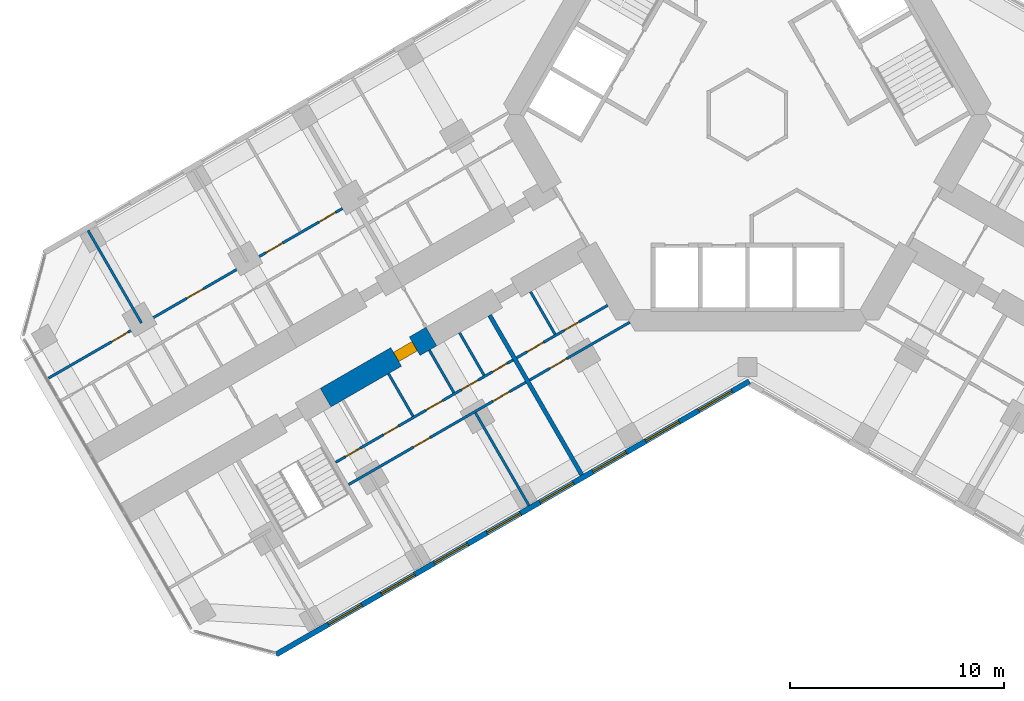
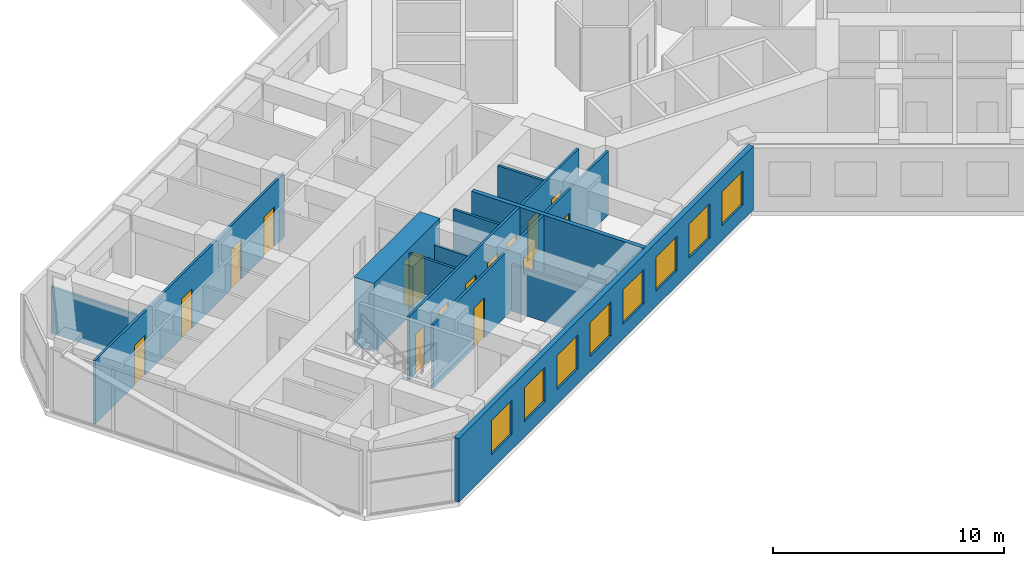
# One storey, part 11 of 21: 15 doors, 14 walls, 8 windows, 23 openings.
"""IFC4 building model written with IfcOpenShell, lengths in metres."""

from ifc_helpers import new_model, si_unit, direction, frame, frame_2d, origin, place, context, subcontext, project, spatial, rectangle, extrude, material, layer, layer_set, type_object, element, fill, save


model = new_model("IFC4")

# Units and contexts
model_context = context("Model", 3, precision=1e-05, world=origin(), true_north=direction((0.0, 1.0)))
body_context = subcontext(model_context, "Body", "Model", "MODEL_VIEW")
ifc_project = project(units=[si_unit("LENGTHUNIT", "METRE"), si_unit("AREAUNIT", "SQUARE_METRE"), si_unit("VOLUMEUNIT", "CUBIC_METRE"), si_unit("PLANEANGLEUNIT", "RADIAN"), si_unit("MASSUNIT", "GRAM", prefix="KILO")], contexts=[model_context])

# Site, building, storey
site_placement = place(None, origin())
site = spatial("IfcSite", under=ifc_project, at=site_placement, CompositionType="ELEMENT")
building_placement = place(site_placement, origin())
building = spatial("IfcBuilding", under=site, at=building_placement, Name="Kosmar Iwan School Tower", CompositionType="ELEMENT")
storey_placement = place(building_placement, frame((0.0, 0.0, 80.800048828125)))
storey = spatial("IfcBuildingStorey", under=building, at=storey_placement, Name="L19", CompositionType="ELEMENT", Elevation=80.800048828125)

# Wall, opening, door
ifc_material_1 = material(Name="Concrete C50/60", Category="concrete")
ifc_layer_1 = layer(ifc_material_1, 1.0)
ifc_layer_set_1 = layer_set([ifc_layer_1], Name="Corridor buttress wall 1000")
wall_type_1 = type_object("IfcWallType", Name="Corridor buttress wall 1000", PredefinedType="SHEAR", material=ifc_layer_set_1)
wall_1_placement = place(storey_placement, frame((-14.7451171875, -10.360595703125, 0.0), z_axis=(0.0, 0.0, 1.0), x_axis=(-0.866015111908, -0.50001782563, 0.0)))
wall_1 = element("IfcWall", 1, at=wall_1_placement, inside=storey, type_object=wall_type_1, Name="Corridor wall BL bay 2", PredefinedType="SHEAR", context=body_context, shape_type="SweptSolid", body=[
    extrude(rectangle(XDim=5.699951171875, YDim=1.0, at=frame_2d((2.85009765625, 0.0))), origin(), (0.0, 0.0, 1.0), 3.599853515625),
])
opening_1_placement = place(wall_1_placement, frame((0.89990234375, 0.0, 0.0)))
opening_1 = element("IfcOpeningElement", 2, at=opening_1_placement, cuts=wall_1, Name="Opening D1", PredefinedType="OPENING", context=body_context, shape_type="SweptSolid", body=[
    extrude(rectangle(XDim=1.0, YDim=2.10009765625, at=frame_2d((0.5, 1.050048828125))), frame((0.0, 0.511962890625, 0.0), z_axis=(0.0, -1.0, 0.0), x_axis=(1.0, 0.0, 0.0)), (0.0, 0.0, 1.0), 1.02392578125),
])
ifc_material_2 = material(Name="Timber fire door in steel frame", Category="steel")
door_type_1 = type_object("IfcDoorType", Name="Flat entrance door 1000x2100", OperationType="SINGLE_SWING_LEFT", PredefinedType="DOOR", material=ifc_material_2)
door_1_placement = place(opening_1_placement, origin())
door_1 = element("IfcDoor", 3, at=door_1_placement, inside=storey, type_object=door_type_1, Name="Flat L19-BL2 entrance door", OperationType="SINGLE_SWING_LEFT", OverallHeight=2.10009765625, OverallWidth=1.0, PredefinedType="DOOR", context=body_context, shape_type="SweptSolid", body=[
    extrude(rectangle(XDim=1.0, YDim=2.10009765625, at=frame_2d((0.5, 1.050048828125))), frame((0.0, 0.25, 0.0), z_axis=(0.0, -1.0, 0.0), x_axis=(1.0, 0.0, 0.0)), (0.0, 0.0, 1.0), 0.5),
])
fill(opening_1, door_1)

# Wall, openings, doors
ifc_material_3 = material(Name="Gypsum board on steel studs", Category="steel")
ifc_layer_2 = layer(ifc_material_3, 0.1201171875)
ifc_layer_set_2 = layer_set([ifc_layer_2], Name="Dwelling partition 120")
wall_type_2 = type_object("IfcWallType", Name="Dwelling partition 120", PredefinedType="PARTITIONING", material=ifc_layer_set_2)
wall_2_placement = place(storey_placement, frame((-6.521728515625, -8.90380859375, 0.0), z_axis=(0.0, 0.0, 1.0), x_axis=(-0.866036242063, -0.49998122708, 0.0)))
wall_2 = element("IfcWall", 4, at=wall_2_placement, inside=storey, type_object=wall_type_2, Name="Partition L19-BL1-W1", PredefinedType="PARTITIONING", context=body_context, shape_type="SweptSolid", body=[
    extrude(rectangle(XDim=4.900146484375, YDim=0.1201171875, at=frame_2d((2.4501953125, 0.0))), origin(), (0.0, 0.0, 1.0), 3.349853515625),
])
opening_2_placement = place(wall_2_placement, frame((1.550048828125, 0.0, 0.0)))
opening_2 = element("IfcOpeningElement", 5, at=opening_2_placement, cuts=wall_2, Name="Opening D3", PredefinedType="OPENING", context=body_context, shape_type="SweptSolid", body=[
    extrude(rectangle(XDim=0.800048828125, YDim=2.10009765625, at=frame_2d((0.39990234375, 1.050048828125))), frame((0.0, 0.072021484375, 0.0), z_axis=(0.0, -1.0, 0.0), x_axis=(1.0, 0.0, 0.0)), (0.0, 0.0, 1.0), 0.14404296875),
])
opening_3_placement = place(wall_2_placement, frame((3.449951171875, 0.0, 0.0)))
opening_3 = element("IfcOpeningElement", 6, at=opening_3_placement, cuts=wall_2, Name="Opening D2", PredefinedType="OPENING", context=body_context, shape_type="SweptSolid", body=[
    extrude(rectangle(XDim=0.89990234375, YDim=2.10009765625, at=frame_2d((0.449951171875, 1.050048828125))), frame((0.0, 0.072021484375, 0.0), z_axis=(0.0, -1.0, 0.0), x_axis=(1.0, 0.0, 0.0)), (0.0, 0.0, 1.0), 0.14404296875),
])
ifc_material_4 = material(Name="Timber door in timber frame", Category="wood")
door_type_2 = type_object("IfcDoorType", Name="Internal door 900x2100", OperationType="SINGLE_SWING_LEFT", PredefinedType="DOOR", material=ifc_material_4)
door_2_placement = place(opening_3_placement, origin())
door_2 = element("IfcDoor", 7, at=door_2_placement, inside=storey, type_object=door_type_2, Name="Entrance hall door L19-BL1-S2", OperationType="SINGLE_SWING_RIGHT", OverallHeight=2.10009765625, OverallWidth=0.89990234375, PredefinedType="DOOR", context=body_context, shape_type="SweptSolid", body=[
    extrude(rectangle(XDim=0.89990234375, YDim=2.10009765625, at=frame_2d((0.449951171875, 1.050048828125))), frame((0.0, 0.02490234375, 0.0), z_axis=(0.0, -1.0, 0.0), x_axis=(1.0, 0.0, 0.0)), (0.0, 0.0, 1.0), 0.050048828125),
])
fill(opening_3, door_2)
ifc_material_5 = material(Name="Timber door in timber frame", Category="wood")
door_type_3 = type_object("IfcDoorType", Name="Sanitary room door 800x2100", OperationType="SINGLE_SWING_LEFT", PredefinedType="DOOR", material=ifc_material_5)
door_3_placement = place(opening_2_placement, origin())
door_3 = element("IfcDoor", 8, at=door_3_placement, inside=storey, type_object=door_type_3, Name="Bathroom door L19-BL1-S1", OperationType="SINGLE_SWING_LEFT", OverallHeight=2.10009765625, OverallWidth=0.800048828125, PredefinedType="DOOR", context=body_context, shape_type="SweptSolid", body=[
    extrude(rectangle(XDim=0.800048828125, YDim=2.10009765625, at=frame_2d((0.39990234375, 1.050048828125))), frame((0.0, 0.02490234375, 0.0), z_axis=(0.0, -1.0, 0.0), x_axis=(1.0, 0.0, 0.0)), (0.0, 0.0, 1.0), 0.050048828125),
])
fill(opening_2, door_3)

# Wall, opening, door
wall_3_placement = place(storey_placement, frame((-5.48876953125, -9.693115234375, 0.0), z_axis=(0.0, 0.0, 1.0), x_axis=(-0.866028230842, -0.499995103361, 0.0)))
wall_3 = element("IfcWall", 9, at=wall_3_placement, inside=storey, type_object=wall_type_2, Name="Partition L19-BL1-W2", PredefinedType="PARTITIONING", context=body_context, shape_type="SweptSolid", body=[
    extrude(rectangle(XDim=5.39990234375, YDim=0.1201171875, at=frame_2d((2.699951171875, 0.0))), origin(), (0.0, 0.0, 1.0), 3.349853515625),
])
opening_4_placement = place(wall_3_placement, frame((3.39990234375, 0.0, 0.0)))
opening_4 = element("IfcOpeningElement", 10, at=opening_4_placement, cuts=wall_3, Name="Opening D2", PredefinedType="OPENING", context=body_context, shape_type="SweptSolid", body=[
    extrude(rectangle(XDim=0.89990234375, YDim=2.10009765625, at=frame_2d((0.449951171875, 1.050048828125))), frame((0.0, 0.072021484375, 0.0), z_axis=(0.0, -1.0, 0.0), x_axis=(1.0, 0.0, 0.0)), (0.0, 0.0, 1.0), 0.14404296875),
])
door_4_placement = place(opening_4_placement, origin())
door_4 = element("IfcDoor", 11, at=door_4_placement, inside=storey, type_object=door_type_2, Name="Studio living room and kitchen door L19-BL1-F1", OperationType="SINGLE_SWING_RIGHT", OverallHeight=2.10009765625, OverallWidth=0.89990234375, PredefinedType="DOOR", context=body_context, shape_type="SweptSolid", body=[
    extrude(rectangle(XDim=0.89990234375, YDim=2.10009765625, at=frame_2d((0.449951171875, 1.050048828125))), frame((0.0, 0.02490234375, 0.0), z_axis=(0.0, -1.0, 0.0), x_axis=(1.0, 0.0, 0.0)), (0.0, 0.0, 1.0), 0.050048828125),
])
fill(opening_4, door_4)

# Wall
wall_4_placement = place(storey_placement, frame((-10.121826171875, -8.2685546875, 0.0), z_axis=(0.0, 0.0, 1.0), x_axis=(0.499968531483, -0.866043571379, 0.0)))
element("IfcWall", 12, at=wall_4_placement, inside=storey, type_object=wall_type_2, Name="Partition L19-BL1-Y1", PredefinedType="PARTITIONING", context=body_context, shape_type="SweptSolid", body=[
    extrude(rectangle(XDim=2.290283203125, YDim=0.1201171875, at=frame_2d((1.14501953125, 0.0))), origin(), (0.0, 0.0, 1.0), 3.349853515625),
])

# Wall, openings, doors
wall_5_placement = place(storey_placement, frame((-10.9384765625, -11.453857421875, 0.0), z_axis=(0.0, 0.0, 1.0), x_axis=(-0.866035311659, -0.499982838664, 0.0)))
wall_5 = element("IfcWall", 13, at=wall_5_placement, inside=storey, type_object=wall_type_2, Name="Partition L19-BL2-W1", PredefinedType="PARTITIONING", context=body_context, shape_type="SweptSolid", body=[
    extrude(rectangle(XDim=9.550048828125, YDim=0.1201171875, at=frame_2d((4.77490234375, 0.0))), origin(), (0.0, 0.0, 1.0), 3.349853515625),
])
opening_5_placement = place(wall_5_placement, frame((0.3125, 0.0, 0.0)))
opening_5 = element("IfcOpeningElement", 14, at=opening_5_placement, cuts=wall_5, Name="Opening D3", PredefinedType="OPENING", context=body_context, shape_type="SweptSolid", body=[
    extrude(rectangle(XDim=0.800048828125, YDim=2.10009765625, at=frame_2d((0.39990234375, 1.050048828125))), frame((0.0, 0.072021484375, 0.0), z_axis=(0.0, -1.0, 0.0), x_axis=(1.0, 0.0, 0.0)), (0.0, 0.0, 1.0), 0.14404296875),
])
opening_6_placement = place(wall_5_placement, frame((1.887451171875, 0.0, 0.0)))
opening_6 = element("IfcOpeningElement", 15, at=opening_6_placement, cuts=wall_5, Name="Opening D2", PredefinedType="OPENING", context=body_context, shape_type="SweptSolid", body=[
    extrude(rectangle(XDim=0.89990234375, YDim=2.10009765625, at=frame_2d((0.449951171875, 1.050048828125))), frame((0.0, 0.072021484375, 0.0), z_axis=(0.0, -1.0, 0.0), x_axis=(1.0, 0.0, 0.0)), (0.0, 0.0, 1.0), 0.14404296875),
])
opening_7_placement = place(wall_5_placement, frame((3.800048828125, 0.0, 0.0)))
opening_7 = element("IfcOpeningElement", 16, at=opening_7_placement, cuts=wall_5, Name="Opening D2", PredefinedType="OPENING", context=body_context, shape_type="SweptSolid", body=[
    extrude(rectangle(XDim=0.89990234375, YDim=2.10009765625, at=frame_2d((0.449951171875, 1.050048828125))), frame((0.0, 0.072021484375, 0.0), z_axis=(0.0, -1.0, 0.0), x_axis=(1.0, 0.0, 0.0)), (0.0, 0.0, 1.0), 0.14404296875),
])
opening_8_placement = place(wall_5_placement, frame((6.179931640625, 0.0, 0.0)))
opening_8 = element("IfcOpeningElement", 17, at=opening_8_placement, cuts=wall_5, Name="Opening D3", PredefinedType="OPENING", context=body_context, shape_type="SweptSolid", body=[
    extrude(rectangle(XDim=0.800048828125, YDim=2.10009765625, at=frame_2d((0.39990234375, 1.050048828125))), frame((0.0, 0.072021484375, 0.0), z_axis=(0.0, -1.0, 0.0), x_axis=(1.0, 0.0, 0.0)), (0.0, 0.0, 1.0), 0.14404296875),
])
opening_9_placement = place(wall_5_placement, frame((8.22998046875, 0.0, 0.0)))
opening_9 = element("IfcOpeningElement", 18, at=opening_9_placement, cuts=wall_5, Name="Opening D3", PredefinedType="OPENING", context=body_context, shape_type="SweptSolid", body=[
    extrude(rectangle(XDim=0.800048828125, YDim=2.10009765625, at=frame_2d((0.39990234375, 1.050048828125))), frame((0.0, 0.072021484375, 0.0), z_axis=(0.0, -1.0, 0.0), x_axis=(1.0, 0.0, 0.0)), (0.0, 0.0, 1.0), 0.14404296875),
])
door_5_placement = place(opening_6_placement, frame((0.89990234375, 0.0, 0.0), z_axis=(0.0, 0.0, 1.0), x_axis=(-1.0, 0.0, 0.0)))
door_5 = element("IfcDoor", 19, at=door_5_placement, inside=storey, type_object=door_type_2, Name="Pantry door L19-BL2-S2", OperationType="SINGLE_SWING_RIGHT", OverallHeight=2.10009765625, OverallWidth=0.89990234375, PredefinedType="DOOR", context=body_context, shape_type="SweptSolid", body=[
    extrude(rectangle(XDim=0.89990234375, YDim=2.10009765625, at=frame_2d((0.449951171875, 1.050048828125))), frame((0.0, 0.02490234375, 0.0), z_axis=(0.0, -1.0, 0.0), x_axis=(1.0, 0.0, 0.0)), (0.0, 0.0, 1.0), 0.050048828125),
])
fill(opening_6, door_5)
door_6_placement = place(opening_7_placement, origin())
door_6 = element("IfcDoor", 20, at=door_6_placement, inside=storey, type_object=door_type_2, Name="Entrance hall door L19-BL2-S3", OperationType="SINGLE_SWING_LEFT", OverallHeight=2.10009765625, OverallWidth=0.89990234375, PredefinedType="DOOR", context=body_context, shape_type="SweptSolid", body=[
    extrude(rectangle(XDim=0.89990234375, YDim=2.10009765625, at=frame_2d((0.449951171875, 1.050048828125))), frame((0.0, 0.02490234375, 0.0), z_axis=(0.0, -1.0, 0.0), x_axis=(1.0, 0.0, 0.0)), (0.0, 0.0, 1.0), 0.050048828125),
])
fill(opening_7, door_6)
door_7_placement = place(opening_5_placement, origin())
door_7 = element("IfcDoor", 21, at=door_7_placement, inside=storey, type_object=door_type_3, Name="Store door L19-BL2-S1", OperationType="SINGLE_SWING_LEFT", OverallHeight=2.10009765625, OverallWidth=0.800048828125, PredefinedType="DOOR", context=body_context, shape_type="SweptSolid", body=[
    extrude(rectangle(XDim=0.800048828125, YDim=2.10009765625, at=frame_2d((0.39990234375, 1.050048828125))), frame((0.0, 0.02490234375, 0.0), z_axis=(0.0, -1.0, 0.0), x_axis=(1.0, 0.0, 0.0)), (0.0, 0.0, 1.0), 0.050048828125),
])
fill(opening_5, door_7)
door_8_placement = place(opening_8_placement, origin())
door_8 = element("IfcDoor", 22, at=door_8_placement, inside=storey, type_object=door_type_3, Name="Bathroom door L19-BL2-S4", OperationType="SINGLE_SWING_RIGHT", OverallHeight=2.10009765625, OverallWidth=0.800048828125, PredefinedType="DOOR", context=body_context, shape_type="SweptSolid", body=[
    extrude(rectangle(XDim=0.800048828125, YDim=2.10009765625, at=frame_2d((0.39990234375, 1.050048828125))), frame((0.0, 0.02490234375, 0.0), z_axis=(0.0, -1.0, 0.0), x_axis=(1.0, 0.0, 0.0)), (0.0, 0.0, 1.0), 0.050048828125),
])
fill(opening_8, door_8)
door_9_placement = place(opening_9_placement, origin())
door_9 = element("IfcDoor", 23, at=door_9_placement, inside=storey, type_object=door_type_3, Name="WC door L19-BL2-S5", OperationType="SINGLE_SWING_RIGHT", OverallHeight=2.10009765625, OverallWidth=0.800048828125, PredefinedType="DOOR", context=body_context, shape_type="SweptSolid", body=[
    extrude(rectangle(XDim=0.800048828125, YDim=2.10009765625, at=frame_2d((0.39990234375, 1.050048828125))), frame((0.0, 0.02490234375, 0.0), z_axis=(0.0, -1.0, 0.0), x_axis=(1.0, 0.0, 0.0)), (0.0, 0.0, 1.0), 0.050048828125),
])
fill(opening_9, door_9)

wall_6_placement = place(storey_placement, frame((-10.338623046875, -12.492919921875, 0.0), z_axis=(0.0, 0.0, 1.0), x_axis=(-0.866017851049, -0.500013081493, 0.0)))
wall_6 = element("IfcWall", 24, at=wall_6_placement, inside=storey, type_object=wall_type_2, Name="Partition L19-BL2-W2", PredefinedType="PARTITIONING", context=body_context, shape_type="SweptSolid", body=[
    extrude(rectangle(XDim=9.550048828125, YDim=0.1201171875, at=frame_2d((4.77490234375, 0.0))), origin(), (0.0, 0.0, 1.0), 3.349853515625),
])
opening_10_placement = place(wall_6_placement, frame((0.875, 0.0, 0.0)))
opening_10 = element("IfcOpeningElement", 25, at=opening_10_placement, cuts=wall_6, Name="Opening D2", PredefinedType="OPENING", context=body_context, shape_type="SweptSolid", body=[
    extrude(rectangle(XDim=0.89990234375, YDim=2.10009765625, at=frame_2d((0.449951171875, 1.050048828125))), frame((0.0, 0.072021484375, 0.0), z_axis=(0.0, -1.0, 0.0), x_axis=(1.0, 0.0, 0.0)), (0.0, 0.0, 1.0), 0.14404296875),
])
opening_11_placement = place(wall_6_placement, frame((5.14990234375, 0.0, 0.0)))
opening_11 = element("IfcOpeningElement", 26, at=opening_11_placement, cuts=wall_6, Name="Opening D2", PredefinedType="OPENING", context=body_context, shape_type="SweptSolid", body=[
    extrude(rectangle(XDim=0.89990234375, YDim=2.10009765625, at=frame_2d((0.449951171875, 1.050048828125))), frame((0.0, 0.072021484375, 0.0), z_axis=(0.0, -1.0, 0.0), x_axis=(1.0, 0.0, 0.0)), (0.0, 0.0, 1.0), 0.14404296875),
])
door_10_placement = place(opening_10_placement, origin())
door_10 = element("IfcDoor", 27, at=door_10_placement, inside=storey, type_object=door_type_2, Name="Bedroom 1 door L19-BL2-F1", OperationType="SINGLE_SWING_RIGHT", OverallHeight=2.10009765625, OverallWidth=0.89990234375, PredefinedType="DOOR", context=body_context, shape_type="SweptSolid", body=[
    extrude(rectangle(XDim=0.89990234375, YDim=2.10009765625, at=frame_2d((0.449951171875, 1.050048828125))), frame((0.0, 0.02490234375, 0.0), z_axis=(0.0, -1.0, 0.0), x_axis=(1.0, 0.0, 0.0)), (0.0, 0.0, 1.0), 0.050048828125),
])
fill(opening_10, door_10)
door_11_placement = place(opening_11_placement, origin())
door_11 = element("IfcDoor", 28, at=door_11_placement, inside=storey, type_object=door_type_2, Name="Living room and kitchen door L19-BL2-F2", OperationType="SINGLE_SWING_LEFT", OverallHeight=2.10009765625, OverallWidth=0.89990234375, PredefinedType="DOOR", context=body_context, shape_type="SweptSolid", body=[
    extrude(rectangle(XDim=0.89990234375, YDim=2.10009765625, at=frame_2d((0.449951171875, 1.050048828125))), frame((0.0, 0.02490234375, 0.0), z_axis=(0.0, -1.0, 0.0), x_axis=(1.0, 0.0, 0.0)), (0.0, 0.0, 1.0), 0.050048828125),
])
fill(opening_11, door_11)

# Walls
wall_7_placement = place(storey_placement, frame((-12.690185546875, -13.919921875, 0.0), z_axis=(0.0, 0.0, 1.0), x_axis=(0.500011847778, -0.866018563358, 0.0)))
element("IfcWall", 29, at=wall_7_placement, inside=storey, type_object=wall_type_2, Name="Partition L19-BL2-X1", PredefinedType="PARTITIONING", context=body_context, shape_type="SweptSolid", body=[
    extrude(rectangle(XDim=4.990234375, YDim=0.1201171875, at=frame_2d((2.4951171875, 0.0))), origin(), (0.0, 0.0, 1.0), 2.449951171875),
])
wall_8_placement = place(storey_placement, frame((-13.434326171875, -10.18115234375, 0.0), z_axis=(0.0, 0.0, 1.0), x_axis=(0.500014693593, -0.866016920268, 0.0)))
element("IfcWall", 30, at=wall_8_placement, inside=storey, type_object=wall_type_2, Name="Partition L19-BL2-Y1", PredefinedType="PARTITIONING", context=body_context, shape_type="SweptSolid", body=[
    extrude(rectangle(XDim=2.2900390625, YDim=0.1201171875, at=frame_2d((1.14501953125, 0.0))), origin(), (0.0, 0.0, 1.0), 3.349853515625),
])
wall_9_placement = place(storey_placement, frame((-14.841552734375, -10.99365234375, 0.0), z_axis=(0.0, 0.0, 1.0), x_axis=(0.500014693593, -0.866016920268, 0.0)))
element("IfcWall", 31, at=wall_9_placement, inside=storey, type_object=wall_type_2, Name="Partition L19-BL2-Y2", PredefinedType="PARTITIONING", context=body_context, shape_type="SweptSolid", body=[
    extrude(rectangle(XDim=2.2900390625, YDim=0.1201171875, at=frame_2d((1.14501953125, 0.0))), origin(), (0.0, 0.0, 1.0), 2.449951171875),
])
wall_10_placement = place(storey_placement, frame((-16.746826171875, -12.09375, 0.0), z_axis=(0.0, 0.0, 1.0), x_axis=(0.500014693593, -0.866016920268, 0.0)))
element("IfcWall", 32, at=wall_10_placement, inside=storey, type_object=wall_type_2, Name="Partition L19-BL2-Y3", PredefinedType="PARTITIONING", context=body_context, shape_type="SweptSolid", body=[
    extrude(rectangle(XDim=2.2900390625, YDim=0.1201171875, at=frame_2d((1.14501953125, 0.0))), origin(), (0.0, 0.0, 1.0), 3.349853515625),
])

# Wall, openings, doors
wall_11_placement = place(storey_placement, frame((-18.456787109375, -4.1318359375, 0.0), z_axis=(0.0, 0.0, 1.0), x_axis=(-0.866023907196, -0.500002592159, 0.0)))
wall_11 = element("IfcWall", 33, at=wall_11_placement, inside=storey, type_object=wall_type_2, Name="Partition L19-BR2-W2", PredefinedType="PARTITIONING", context=body_context, shape_type="SweptSolid", body=[
    extrude(rectangle(XDim=16.34521484375, YDim=0.1201171875, at=frame_2d((8.172607421875, 0.0))), origin(), (0.0, 0.0, 1.0), 3.349853515625),
])
opening_12_placement = place(wall_11_placement, frame((0.875, 0.0, 0.0)))
opening_12 = element("IfcOpeningElement", 34, at=opening_12_placement, cuts=wall_11, Name="Opening D2", PredefinedType="OPENING", context=body_context, shape_type="SweptSolid", body=[
    extrude(rectangle(XDim=0.89990234375, YDim=2.10009765625, at=frame_2d((0.449951171875, 1.050048828125))), frame((0.0, 0.072021484375, 0.0), z_axis=(0.0, -1.0, 0.0), x_axis=(1.0, 0.0, 0.0)), (0.0, 0.0, 1.0), 0.14404296875),
])
opening_13_placement = place(wall_11_placement, frame((3.72509765625, 0.0, 0.0)))
opening_13 = element("IfcOpeningElement", 35, at=opening_13_placement, cuts=wall_11, Name="Opening D2", PredefinedType="OPENING", context=body_context, shape_type="SweptSolid", body=[
    extrude(rectangle(XDim=0.89990234375, YDim=2.10009765625, at=frame_2d((0.449951171875, 1.050048828125))), frame((0.0, 0.072021484375, 0.0), z_axis=(0.0, -1.0, 0.0), x_axis=(1.0, 0.0, 0.0)), (0.0, 0.0, 1.0), 0.14404296875),
])
opening_14_placement = place(wall_11_placement, frame((8.0, 0.0, 0.0)))
opening_14 = element("IfcOpeningElement", 36, at=opening_14_placement, cuts=wall_11, Name="Opening D2", PredefinedType="OPENING", context=body_context, shape_type="SweptSolid", body=[
    extrude(rectangle(XDim=0.89990234375, YDim=2.10009765625, at=frame_2d((0.449951171875, 1.050048828125))), frame((0.0, 0.072021484375, 0.0), z_axis=(0.0, -1.0, 0.0), x_axis=(1.0, 0.0, 0.0)), (0.0, 0.0, 1.0), 0.14404296875),
])
opening_15_placement = place(wall_11_placement, frame((12.050048828125, 0.0, 0.0)))
opening_15 = element("IfcOpeningElement", 37, at=opening_15_placement, cuts=wall_11, Name="Opening D2", PredefinedType="OPENING", context=body_context, shape_type="SweptSolid", body=[
    extrude(rectangle(XDim=0.89990234375, YDim=2.10009765625, at=frame_2d((0.449951171875, 1.050048828125))), frame((0.0, 0.072021484375, 0.0), z_axis=(0.0, -1.0, 0.0), x_axis=(1.0, 0.0, 0.0)), (0.0, 0.0, 1.0), 0.14404296875),
])
door_12_placement = place(opening_12_placement, origin())
door_12 = element("IfcDoor", 38, at=door_12_placement, inside=storey, type_object=door_type_2, Name="Bedroom 1 door L19-BR2-F1", OperationType="SINGLE_SWING_LEFT", OverallHeight=2.10009765625, OverallWidth=0.89990234375, PredefinedType="DOOR", context=body_context, shape_type="SweptSolid", body=[
    extrude(rectangle(XDim=0.89990234375, YDim=2.10009765625, at=frame_2d((0.449951171875, 1.050048828125))), frame((0.0, 0.02490234375, 0.0), z_axis=(0.0, -1.0, 0.0), x_axis=(1.0, 0.0, 0.0)), (0.0, 0.0, 1.0), 0.050048828125),
])
fill(opening_12, door_12)
door_13_placement = place(opening_13_placement, origin())
door_13 = element("IfcDoor", 39, at=door_13_placement, inside=storey, type_object=door_type_2, Name="Bedroom 2 door L19-BR2-F2", OperationType="SINGLE_SWING_LEFT", OverallHeight=2.10009765625, OverallWidth=0.89990234375, PredefinedType="DOOR", context=body_context, shape_type="SweptSolid", body=[
    extrude(rectangle(XDim=0.89990234375, YDim=2.10009765625, at=frame_2d((0.449951171875, 1.050048828125))), frame((0.0, 0.02490234375, 0.0), z_axis=(0.0, -1.0, 0.0), x_axis=(1.0, 0.0, 0.0)), (0.0, 0.0, 1.0), 0.050048828125),
])
fill(opening_13, door_13)
door_14_placement = place(opening_14_placement, origin())
door_14 = element("IfcDoor", 40, at=door_14_placement, inside=storey, type_object=door_type_2, Name="Living room and kitchen door L19-BR2-F3", OperationType="SINGLE_SWING_RIGHT", OverallHeight=2.10009765625, OverallWidth=0.89990234375, PredefinedType="DOOR", context=body_context, shape_type="SweptSolid", body=[
    extrude(rectangle(XDim=0.89990234375, YDim=2.10009765625, at=frame_2d((0.449951171875, 1.050048828125))), frame((0.0, 0.02490234375, 0.0), z_axis=(0.0, -1.0, 0.0), x_axis=(1.0, 0.0, 0.0)), (0.0, 0.0, 1.0), 0.050048828125),
])
fill(opening_14, door_14)
door_15_placement = place(opening_15_placement, origin())
door_15 = element("IfcDoor", 41, at=door_15_placement, inside=storey, type_object=door_type_2, Name="Bedroom 3 door L19-BR2-F4", OperationType="SINGLE_SWING_RIGHT", OverallHeight=2.10009765625, OverallWidth=0.89990234375, PredefinedType="DOOR", context=body_context, shape_type="SweptSolid", body=[
    extrude(rectangle(XDim=0.89990234375, YDim=2.10009765625, at=frame_2d((0.449951171875, 1.050048828125))), frame((0.0, 0.02490234375, 0.0), z_axis=(0.0, -1.0, 0.0), x_axis=(1.0, 0.0, 0.0)), (0.0, 0.0, 1.0), 0.050048828125),
])
fill(opening_15, door_15)

# Wall
wall_12_placement = place(storey_placement, frame((-28.27294921875, -9.72998046875, 0.0), z_axis=(0.0, 0.0, 1.0), x_axis=(-0.499975153383, 0.86603974851, 0.0)))
element("IfcWall", 42, at=wall_12_placement, inside=storey, type_object=wall_type_2, Name="Partition L19-BR2-X3", PredefinedType="PARTITIONING", context=body_context, shape_type="SweptSolid", body=[
    extrude(rectangle(XDim=4.989990234375, YDim=0.1201171875, at=frame_2d((2.4951171875, 0.0))), origin(), (0.0, 0.0, 1.0), 2.449951171875),
])

# Wall, openings, windows
ifc_material_6 = material(Name="Black aluminium rainscreen on insulated framing", Category="aluminium")
ifc_layer_3 = layer(ifc_material_6, 0.25)
ifc_layer_set_3 = layer_set([ifc_layer_3], Name="External wall rainscreen 250")
wall_type_3 = type_object("IfcWallType", Name="External wall rainscreen 250", PredefinedType="SOLIDWALL", material=ifc_layer_set_3)
wall_13_placement = place(storey_placement, frame((0.088134765625, -12.44873046875, 0.0), z_axis=(0.0, 0.0, 1.0), x_axis=(-0.866026390279, -0.499998291337, 0.0)))
wall_13 = element("IfcWall", 43, at=wall_13_placement, inside=storey, type_object=wall_type_3, Name="External wall BL L19", PredefinedType="SOLIDWALL", context=body_context, shape_type="SweptSolid", body=[
    extrude(rectangle(XDim=25.4873046875, YDim=0.25, at=frame_2d((12.74365234375, 0.0))), origin(), (0.0, 0.0, 1.0), 3.349853515625),
])
opening_16_placement = place(wall_13_placement, frame((0.927001953125, 0.0, 0.800048828125)))
opening_16 = element("IfcOpeningElement", 44, at=opening_16_placement, cuts=wall_13, Name="Opening W1", PredefinedType="OPENING", context=body_context, shape_type="SweptSolid", body=[
    extrude(rectangle(XDim=1.800048828125, YDim=1.800048828125, at=frame_2d((0.89990234375, 0.89990234375))), frame((0.0, 0.136962890625, 0.0), z_axis=(0.0, -1.0, 0.0), x_axis=(1.0, 0.0, 0.0)), (0.0, 0.0, 1.0), 0.27392578125),
])
opening_17_placement = place(wall_13_placement, frame((3.777099609375, 0.0, 0.800048828125)))
opening_17 = element("IfcOpeningElement", 45, at=opening_17_placement, cuts=wall_13, Name="Opening W1", PredefinedType="OPENING", context=body_context, shape_type="SweptSolid", body=[
    extrude(rectangle(XDim=1.800048828125, YDim=1.800048828125, at=frame_2d((0.89990234375, 0.89990234375))), frame((0.0, 0.136962890625, 0.0), z_axis=(0.0, -1.0, 0.0), x_axis=(1.0, 0.0, 0.0)), (0.0, 0.0, 1.0), 0.27392578125),
])
opening_18_placement = place(wall_13_placement, frame((6.626953125, 0.0, 0.800048828125)))
opening_18 = element("IfcOpeningElement", 46, at=opening_18_placement, cuts=wall_13, Name="Opening W1", PredefinedType="OPENING", context=body_context, shape_type="SweptSolid", body=[
    extrude(rectangle(XDim=1.800048828125, YDim=1.800048828125, at=frame_2d((0.89990234375, 0.89990234375))), frame((0.0, 0.136962890625, 0.0), z_axis=(0.0, -1.0, 0.0), x_axis=(1.0, 0.0, 0.0)), (0.0, 0.0, 1.0), 0.27392578125),
])
opening_19_placement = place(wall_13_placement, frame((9.47705078125, 0.0, 0.800048828125)))
opening_19 = element("IfcOpeningElement", 47, at=opening_19_placement, cuts=wall_13, Name="Opening W1", PredefinedType="OPENING", context=body_context, shape_type="SweptSolid", body=[
    extrude(rectangle(XDim=1.800048828125, YDim=1.800048828125, at=frame_2d((0.89990234375, 0.89990234375))), frame((0.0, 0.136962890625, 0.0), z_axis=(0.0, -1.0, 0.0), x_axis=(1.0, 0.0, 0.0)), (0.0, 0.0, 1.0), 0.27392578125),
])
opening_20_placement = place(wall_13_placement, frame((12.326904296875, 0.0, 0.800048828125)))
opening_20 = element("IfcOpeningElement", 48, at=opening_20_placement, cuts=wall_13, Name="Opening W1", PredefinedType="OPENING", context=body_context, shape_type="SweptSolid", body=[
    extrude(rectangle(XDim=1.800048828125, YDim=1.800048828125, at=frame_2d((0.89990234375, 0.89990234375))), frame((0.0, 0.136962890625, 0.0), z_axis=(0.0, -1.0, 0.0), x_axis=(1.0, 0.0, 0.0)), (0.0, 0.0, 1.0), 0.27392578125),
])
opening_21_placement = place(wall_13_placement, frame((15.177001953125, 0.0, 0.800048828125)))
opening_21 = element("IfcOpeningElement", 49, at=opening_21_placement, cuts=wall_13, Name="Opening W1", PredefinedType="OPENING", context=body_context, shape_type="SweptSolid", body=[
    extrude(rectangle(XDim=1.800048828125, YDim=1.800048828125, at=frame_2d((0.89990234375, 0.89990234375))), frame((0.0, 0.136962890625, 0.0), z_axis=(0.0, -1.0, 0.0), x_axis=(1.0, 0.0, 0.0)), (0.0, 0.0, 1.0), 0.27392578125),
])
opening_22_placement = place(wall_13_placement, frame((18.027099609375, 0.0, 0.800048828125)))
opening_22 = element("IfcOpeningElement", 50, at=opening_22_placement, cuts=wall_13, Name="Opening W1", PredefinedType="OPENING", context=body_context, shape_type="SweptSolid", body=[
    extrude(rectangle(XDim=1.800048828125, YDim=1.800048828125, at=frame_2d((0.89990234375, 0.89990234375))), frame((0.0, 0.136962890625, 0.0), z_axis=(0.0, -1.0, 0.0), x_axis=(1.0, 0.0, 0.0)), (0.0, 0.0, 1.0), 0.27392578125),
])
opening_23_placement = place(wall_13_placement, frame((20.876953125, 0.0, 0.800048828125)))
opening_23 = element("IfcOpeningElement", 51, at=opening_23_placement, cuts=wall_13, Name="Opening W1", PredefinedType="OPENING", context=body_context, shape_type="SweptSolid", body=[
    extrude(rectangle(XDim=1.800048828125, YDim=1.800048828125, at=frame_2d((0.89990234375, 0.89990234375))), frame((0.0, 0.136962890625, 0.0), z_axis=(0.0, -1.0, 0.0), x_axis=(1.0, 0.0, 0.0)), (0.0, 0.0, 1.0), 0.27392578125),
])
ifc_material_7 = material(Name="Black aluminium frame with dark triple glazing", Category="aluminium")
window_type = type_object("IfcWindowType", Name="Window 1800x1800", PartitioningType="SINGLE_PANEL", PredefinedType="WINDOW", material=ifc_material_7)
window_1_placement = place(opening_16_placement, origin())
window_1 = element("IfcWindow", 52, at=window_1_placement, inside=storey, type_object=window_type, Name="Window BL L19 -1", OverallHeight=1.800048828125, OverallWidth=1.800048828125, PartitioningType="SINGLE_PANEL", PredefinedType="WINDOW", context=body_context, shape_type="SweptSolid", body=[
    extrude(rectangle(XDim=1.800048828125, YDim=1.800048828125, at=frame_2d((0.89990234375, 0.89990234375))), frame((0.0, 0.030029296875, 0.0), z_axis=(0.0, -1.0, 0.0), x_axis=(1.0, 0.0, 0.0)), (0.0, 0.0, 1.0), 0.06005859375),
])
fill(opening_16, window_1)
window_2_placement = place(opening_17_placement, origin())
window_2 = element("IfcWindow", 53, at=window_2_placement, inside=storey, type_object=window_type, Name="Window BL L19 0", OverallHeight=1.800048828125, OverallWidth=1.800048828125, PartitioningType="SINGLE_PANEL", PredefinedType="WINDOW", context=body_context, shape_type="SweptSolid", body=[
    extrude(rectangle(XDim=1.800048828125, YDim=1.800048828125, at=frame_2d((0.89990234375, 0.89990234375))), frame((0.0, 0.030029296875, 0.0), z_axis=(0.0, -1.0, 0.0), x_axis=(1.0, 0.0, 0.0)), (0.0, 0.0, 1.0), 0.06005859375),
])
fill(opening_17, window_2)
window_3_placement = place(opening_18_placement, origin())
window_3 = element("IfcWindow", 54, at=window_3_placement, inside=storey, type_object=window_type, Name="Window BL L19 1", OverallHeight=1.800048828125, OverallWidth=1.800048828125, PartitioningType="SINGLE_PANEL", PredefinedType="WINDOW", context=body_context, shape_type="SweptSolid", body=[
    extrude(rectangle(XDim=1.800048828125, YDim=1.800048828125, at=frame_2d((0.89990234375, 0.89990234375))), frame((0.0, 0.030029296875, 0.0), z_axis=(0.0, -1.0, 0.0), x_axis=(1.0, 0.0, 0.0)), (0.0, 0.0, 1.0), 0.06005859375),
])
fill(opening_18, window_3)
window_4_placement = place(opening_19_placement, origin())
window_4 = element("IfcWindow", 55, at=window_4_placement, inside=storey, type_object=window_type, Name="Window BL L19 2", OverallHeight=1.800048828125, OverallWidth=1.800048828125, PartitioningType="SINGLE_PANEL", PredefinedType="WINDOW", context=body_context, shape_type="SweptSolid", body=[
    extrude(rectangle(XDim=1.800048828125, YDim=1.800048828125, at=frame_2d((0.89990234375, 0.89990234375))), frame((0.0, 0.030029296875, 0.0), z_axis=(0.0, -1.0, 0.0), x_axis=(1.0, 0.0, 0.0)), (0.0, 0.0, 1.0), 0.06005859375),
])
fill(opening_19, window_4)
window_5_placement = place(opening_20_placement, origin())
window_5 = element("IfcWindow", 56, at=window_5_placement, inside=storey, type_object=window_type, Name="Window BL L19 3", OverallHeight=1.800048828125, OverallWidth=1.800048828125, PartitioningType="SINGLE_PANEL", PredefinedType="WINDOW", context=body_context, shape_type="SweptSolid", body=[
    extrude(rectangle(XDim=1.800048828125, YDim=1.800048828125, at=frame_2d((0.89990234375, 0.89990234375))), frame((0.0, 0.030029296875, 0.0), z_axis=(0.0, -1.0, 0.0), x_axis=(1.0, 0.0, 0.0)), (0.0, 0.0, 1.0), 0.06005859375),
])
fill(opening_20, window_5)
window_6_placement = place(opening_21_placement, origin())
window_6 = element("IfcWindow", 57, at=window_6_placement, inside=storey, type_object=window_type, Name="Window BL L19 4", OverallHeight=1.800048828125, OverallWidth=1.800048828125, PartitioningType="SINGLE_PANEL", PredefinedType="WINDOW", context=body_context, shape_type="SweptSolid", body=[
    extrude(rectangle(XDim=1.800048828125, YDim=1.800048828125, at=frame_2d((0.89990234375, 0.89990234375))), frame((0.0, 0.030029296875, 0.0), z_axis=(0.0, -1.0, 0.0), x_axis=(1.0, 0.0, 0.0)), (0.0, 0.0, 1.0), 0.06005859375),
])
fill(opening_21, window_6)
window_7_placement = place(opening_22_placement, origin())
window_7 = element("IfcWindow", 58, at=window_7_placement, inside=storey, type_object=window_type, Name="Window BL L19 5", OverallHeight=1.800048828125, OverallWidth=1.800048828125, PartitioningType="SINGLE_PANEL", PredefinedType="WINDOW", context=body_context, shape_type="SweptSolid", body=[
    extrude(rectangle(XDim=1.800048828125, YDim=1.800048828125, at=frame_2d((0.89990234375, 0.89990234375))), frame((0.0, 0.030029296875, 0.0), z_axis=(0.0, -1.0, 0.0), x_axis=(1.0, 0.0, 0.0)), (0.0, 0.0, 1.0), 0.06005859375),
])
fill(opening_22, window_7)
window_8_placement = place(opening_23_placement, origin())
window_8 = element("IfcWindow", 59, at=window_8_placement, inside=storey, type_object=window_type, Name="Window BL L19 6", OverallHeight=1.800048828125, OverallWidth=1.800048828125, PartitioningType="SINGLE_PANEL", PredefinedType="WINDOW", context=body_context, shape_type="SweptSolid", body=[
    extrude(rectangle(XDim=1.800048828125, YDim=1.800048828125, at=frame_2d((0.89990234375, 0.89990234375))), frame((0.0, 0.030029296875, 0.0), z_axis=(0.0, -1.0, 0.0), x_axis=(1.0, 0.0, 0.0)), (0.0, 0.0, 1.0), 0.06005859375),
])
fill(opening_23, window_8)

# Wall
ifc_material_8 = material(Name="Concrete block masonry", Category="masonry")
ifc_layer_4 = layer(ifc_material_8, 0.199951171875)
ifc_layer_set_4 = layer_set([ifc_layer_4], Name="Party wall 200")
wall_type_4 = type_object("IfcWallType", Name="Party wall 200", PredefinedType="PARTITIONING", material=ifc_layer_set_4)
wall_14_placement = place(storey_placement, frame((-12.027099609375, -9.36865234375, 0.0), z_axis=(0.0, 0.0, 1.0), x_axis=(0.500007509209, -0.866021068297, 0.0)))
element("IfcWall", 60, at=wall_14_placement, inside=storey, type_object=wall_type_4, Name="Partition L19-BL2-PW", PredefinedType="PARTITIONING", context=body_context, shape_type="SweptSolid", body=[
    extrude(rectangle(XDim=8.599853515625, YDim=0.199951171875, at=frame_2d((4.2998046875, 0.0))), origin(), (0.0, 0.0, 1.0), 3.349853515625),
])

save(model, "model.ifc")
